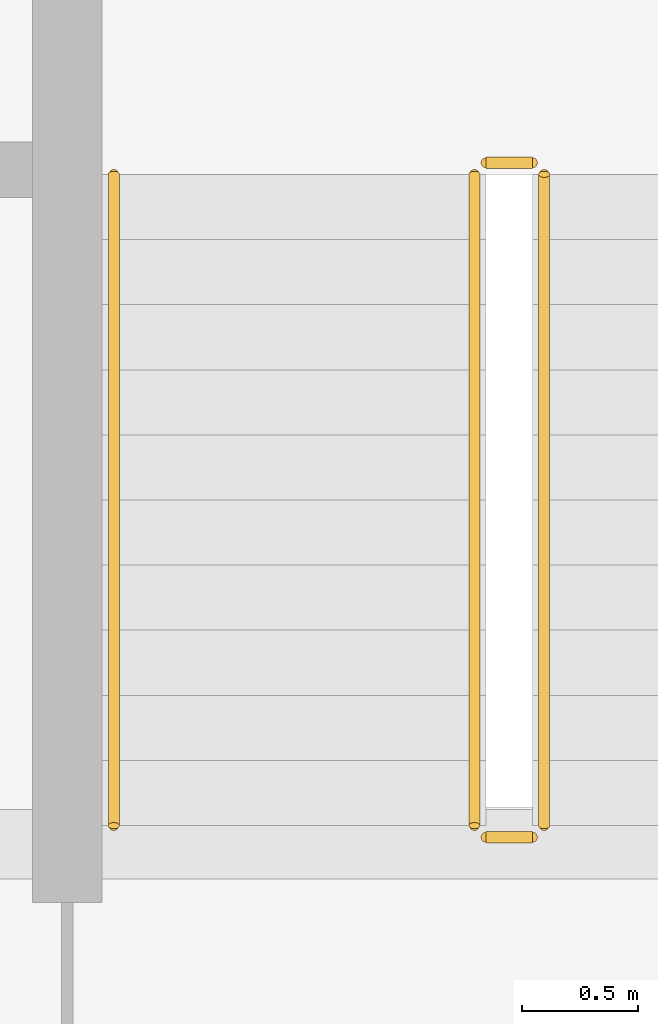
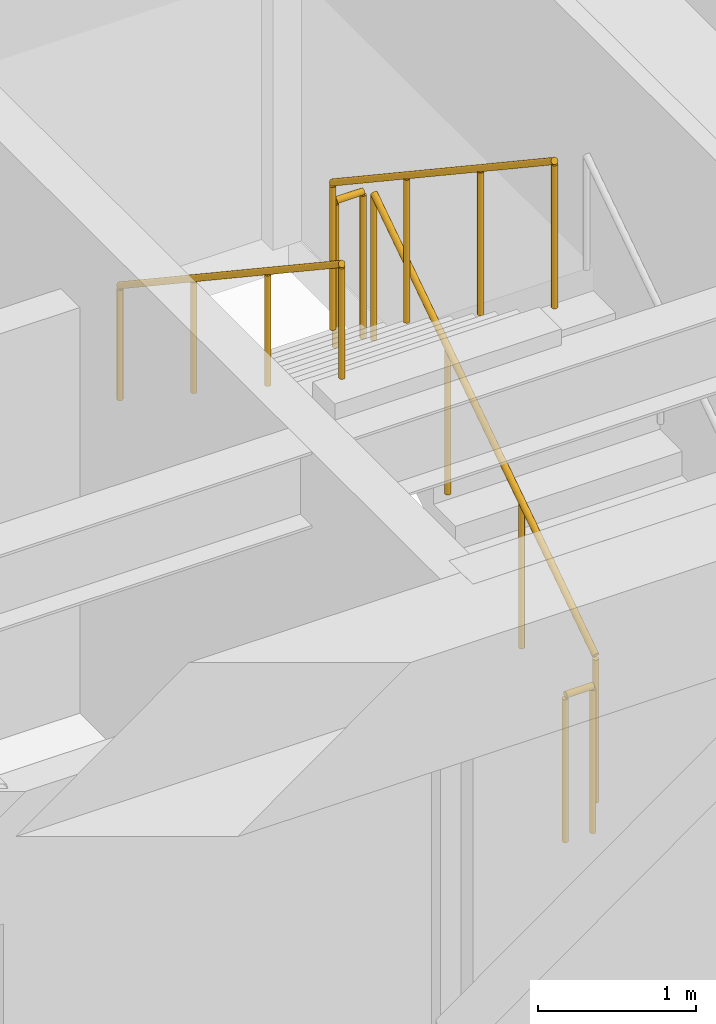
# One storey, part 32 of 33: 5 railings.
"""IFC4 building model written with IfcOpenShell, lengths in metres."""

import ifcopenshell
import ifcopenshell.guid

model = None  # the IFC model being written
_history = None  # IfcOwnerHistory: only IFC2X3 demands one
_inside = {}  # id of a spatial element -> (the spatial element, [elements in it])
_under = {}  # id of a project, library or spatial element -> (it, [spatial elements below it])
_declared = {}  # id of a project -> (the project, [libraries it declares])
_typed = {}  # id of a type object -> (the type object, [elements of that type])
_made_of = {}  # id of a material, layer set ... -> (it, [elements and type objects made of it])


def new_model(schema):
    """Start an empty IFC model of exactly this schema.

    Asked for "IFC4X3", IfcOpenShell would pick the latest addendum, in which some entities
    have other attributes; the version numbers below select the first issue.
    IFC2X3 requires an IfcOwnerHistory on every rooted entity: one is made here for all.
    """
    global model, _history
    if schema == "IFC4X3":
        model = ifcopenshell.file(schema_version=(4, 3, 0, 0))
    else:
        model = ifcopenshell.file(schema=schema)
    _inside.clear()
    _under.clear()
    _declared.clear()
    _typed.clear()
    _made_of.clear()
    _history = None
    if model.schema == "IFC2X3":
        org = make("IfcOrganization", Name="unknown")
        user = make(
            "IfcPersonAndOrganization",
            ThePerson=make("IfcPerson", FamilyName="unknown"),
            TheOrganization=org,
        )
        app = make(
            "IfcApplication",
            ApplicationDeveloper=org,
            Version="unknown",
            ApplicationFullName="unknown",
            ApplicationIdentifier="unknown",
        )
        _history = make(
            "IfcOwnerHistory",
            OwningUser=user,
            OwningApplication=app,
            ChangeAction="ADDED",
            CreationDate=0,
        )
    return model


def make(cls, **values):
    """One entity of the class cls with the attributes given. An attribute that is None is left unset."""
    return model.create_entity(
        cls, **{name: value for name, value in values.items() if value is not None}
    )


def rooted(cls, **values):
    """An entity with a GlobalId (a new one), such as an element, a storey or a relation."""
    return make(cls, GlobalId=ifcopenshell.guid.new(), OwnerHistory=_history, **values)


def si_unit(unit_type, name, prefix=None):
    """IfcSIUnit, for example si_unit("LENGTHUNIT", "METRE", prefix="MILLI")."""
    return make("IfcSIUnit", UnitType=unit_type, Prefix=prefix, Name=name)


def assignment(units):
    """IfcUnitAssignment: the units of a project."""
    return None if units is None else make("IfcUnitAssignment", Units=units)


def point(xyz):
    """IfcCartesianPoint."""
    return None if xyz is None else make("IfcCartesianPoint", Coordinates=xyz)


def direction(xyz):
    """IfcDirection."""
    return None if xyz is None else make("IfcDirection", DirectionRatios=xyz)


def frame(location, z_axis=None, x_axis=None):
    """IfcAxis2Placement3D, a coordinate frame: its origin and axes. An axis left out is left unset."""
    return make(
        "IfcAxis2Placement3D",
        Location=point(location),
        Axis=direction(z_axis),
        RefDirection=direction(x_axis),
    )


def frame_2d(location, x_axis=None):
    """IfcAxis2Placement2D, a coordinate frame in the plane: its origin and x axis."""
    return make(
        "IfcAxis2Placement2D", Location=point(location), RefDirection=direction(x_axis)
    )


def origin():
    """The frame at (0, 0, 0) with its axes left unset."""
    return frame((0.0, 0.0, 0.0))


def origin_2d():
    """The frame at (0, 0) in the plane with its x axis left unset."""
    return frame_2d((0.0, 0.0))


def place(relative_to, where):
    """IfcLocalPlacement: puts the frame where relative to a parent placement (None: the world)."""
    return make(
        "IfcLocalPlacement", PlacementRelTo=relative_to, RelativePlacement=where
    )


def context(
    kind, dimensions, precision=None, world=None, true_north=None, identifier=None
):
    """IfcGeometricRepresentationContext, for example the 3D "Model" context."""
    return make(
        "IfcGeometricRepresentationContext",
        ContextIdentifier=identifier,
        ContextType=kind,
        CoordinateSpaceDimension=dimensions,
        Precision=precision,
        WorldCoordinateSystem=world,
        TrueNorth=true_north,
    )


def subcontext(parent, identifier, kind, view, scale=None):
    """IfcGeometricRepresentationSubContext, for example "Body" below "Model"."""
    return make(
        "IfcGeometricRepresentationSubContext",
        ContextIdentifier=identifier,
        ContextType=kind,
        ParentContext=parent,
        TargetScale=scale,
        TargetView=view,
    )


def project(units=None, contexts=None):
    """IfcProject with its units and contexts."""
    return rooted(
        "IfcProject",
        Name="project",
        RepresentationContexts=contexts,
        UnitsInContext=assignment(units),
    )


def spatial(cls, under=None, at=None, **own):
    """A site, building, storey or space (cls), placed at a placement, below another one or the project."""
    s = rooted(cls, ObjectPlacement=at, **own)
    if under is not None:
        _under.setdefault(under.id(), (under, []))[1].append(s)
    return s


def profile(cls, at=None, kind="AREA", **sizes):
    """A parametric profile (cls). Its sizes go by their IFC names, for example OverallWidth=200.0."""
    return make(cls, ProfileType=kind, Position=at, **sizes)


def circle(**sizes):
    """IfcCircleProfileDef."""
    return profile("IfcCircleProfileDef", **sizes)


def extrude(swept, where, along, depth):
    """IfcExtrudedAreaSolid: the profile swept, set in the frame where, extruded along a direction by depth."""
    return make(
        "IfcExtrudedAreaSolid",
        SweptArea=swept,
        Position=where,
        ExtrudedDirection=direction(along),
        Depth=depth,
    )


def shape(context_of_items, identifier, shape_type, items):
    """IfcShapeRepresentation: the items that make up one representation, for example the "Body"."""
    return make(
        "IfcShapeRepresentation",
        ContextOfItems=context_of_items,
        RepresentationIdentifier=identifier,
        RepresentationType=shape_type,
        Items=items,
    )


def source(mapping_origin, context_of_items, identifier, shape_type, items):
    """IfcRepresentationMap: a shape defined once, which mapped items show again and again."""
    return make(
        "IfcRepresentationMap",
        MappingOrigin=mapping_origin,
        MappedRepresentation=shape(context_of_items, identifier, shape_type, items),
    )


def transform(
    local_origin,
    x_axis=None,
    y_axis=None,
    z_axis=None,
    scale=None,
    scale2=None,
    scale3=None,
    uniform=True,
):
    """IfcCartesianTransformationOperator3D, or its non-uniform kind. x_axis, y_axis, z_axis: its Axis1, 2, 3."""
    if uniform:
        return make(
            "IfcCartesianTransformationOperator3D",
            Axis1=direction(x_axis),
            Axis2=direction(y_axis),
            LocalOrigin=point(local_origin),
            Scale=scale,
            Axis3=direction(z_axis),
        )
    return make(
        "IfcCartesianTransformationOperator3DnonUniform",
        Axis1=direction(x_axis),
        Axis2=direction(y_axis),
        LocalOrigin=point(local_origin),
        Scale=scale,
        Axis3=direction(z_axis),
        Scale2=scale2,
        Scale3=scale3,
    )


def mapped(mapping_source, mapping_target):
    """IfcMappedItem: shows the shape of a source again, moved by a transform."""
    return make(
        "IfcMappedItem", MappingSource=mapping_source, MappingTarget=mapping_target
    )


def material(Name=None, Category=None):
    """IfcMaterial."""
    return make("IfcMaterial", Name=Name, Category=Category)


def made_of(thing, what):
    """Note that an element or type object is made of a material, layer set ...; save() writes the relation."""
    if what is not None:
        _made_of.setdefault(what.id(), (what, []))[1].append(thing)
    return thing


def type_object(cls, material=None, **own):
    """A type object (cls), such as IfcWallType, which elements share."""
    return made_of(rooted(cls, **own), material)


def type_shapes(of_type, sources):
    """Give a type object the sources (RepresentationMaps) that its elements show as mapped items."""
    of_type.RepresentationMaps = sources


def element(
    cls,
    number,
    at=None,
    inside=None,
    cuts=None,
    type_object=None,
    material=None,
    context=None,
    identifier="Body",
    shape_type=None,
    held_by="IfcProductDefinitionShape",
    body=None,
    shapes=None,
    **own,
):
    """One element of the class cls, such as IfcWall. Its Tag is "e" and its number.

    at: its placement. inside: the storey or other place that contains it. cuts: it is an
    opening in that element (IfcRelVoidsElement). A single representation is given by context,
    identifier, shape_type and body (its items); several are given by shapes. held_by: the class
    of the entity that holds the representations. save() writes the other relations.
    """
    e = rooted(cls, Tag="e%d" % number, ObjectPlacement=at, **own)
    if body is not None:
        shapes = [shape(context, identifier, shape_type, body)]
    if shapes is not None:
        e.Representation = make(held_by, Representations=shapes)
    if inside is not None:
        _inside.setdefault(inside.id(), (inside, []))[1].append(e)
    if cuts is not None:
        rooted(
            "IfcRelVoidsElement", RelatingBuildingElement=cuts, RelatedOpeningElement=e
        )
    if type_object is not None:
        _typed.setdefault(type_object.id(), (type_object, []))[1].append(e)
    return made_of(e, material)


def aggregate(whole, parts):
    """IfcRelAggregates: a whole, such as a stair, and the parts it consists of."""
    return rooted("IfcRelAggregates", RelatingObject=whole, RelatedObjects=parts)


def save(model, path):
    """Write the relations noted so far, then the file.

    IfcRelAggregates (storeys below a building ...), IfcRelContainedInSpatialStructure (elements
    in a storey), IfcRelDefinesByType, IfcRelAssociatesMaterial and IfcRelDeclares: one each for
    every whole, place, type object, material and project.
    """
    for whole, parts in _under.values():
        aggregate(whole, parts)
    for where, things in _inside.values():
        rooted(
            "IfcRelContainedInSpatialStructure",
            RelatedElements=things,
            RelatingStructure=where,
        )
    for kind, things in _typed.values():
        rooted("IfcRelDefinesByType", RelatedObjects=things, RelatingType=kind)
    for what, things in _made_of.values():
        rooted("IfcRelAssociatesMaterial", RelatedObjects=things, RelatingMaterial=what)
    for by, libraries in _declared.values():
        rooted("IfcRelDeclares", RelatingContext=by, RelatedDefinitions=libraries)
    model.write(path)


model = new_model("IFC4")

# Units and contexts
model_context = context("Model", 3, precision=1e-05, world=origin(), true_north=direction((0.0, 1.0)))
body_context = subcontext(model_context, "Body", "Model", "MODEL_VIEW")
ifc_project = project(units=[si_unit("LENGTHUNIT", "METRE"), si_unit("AREAUNIT", "SQUARE_METRE"), si_unit("VOLUMEUNIT", "CUBIC_METRE"), si_unit("PLANEANGLEUNIT", "RADIAN"), si_unit("MASSUNIT", "GRAM", prefix="KILO")], contexts=[model_context])

# Site, building, storey
site_placement = place(None, origin())
site = spatial("IfcSite", under=ifc_project, at=site_placement, CompositionType="ELEMENT")
building_placement = place(site_placement, origin())
building = spatial("IfcBuilding", under=site, at=building_placement, Name="Haelvirn Gate Laboratories", CompositionType="ELEMENT")
storey_placement = place(building_placement, frame((0.0, 0.0, 137.89990234375)))
storey = spatial("IfcBuildingStorey", under=building, at=storey_placement, Name="L33", CompositionType="ELEMENT", Elevation=137.89990234375)

# Railings
ifc_material_1 = material(Name="Galvanised steel SM355 & stainless top rail", Category="steel")
railing_type_1 = type_object("IfcRailingType", Name="RL-GUARD-1150", PredefinedType="GUARDRAIL", material=ifc_material_1)
shared_shape_1 = source(origin(), body_context, "Body", "SweptSolid", [
    extrude(circle(Radius=0.02392578125, at=origin_2d()), frame((0.0, 0.0, 1.1259765625), z_axis=(0.0, 0.832485552168, 0.554046753832), x_axis=(-1.0, 0.0, 0.0)), (0.0, 0.0, 1.0), 3.363525390625),
    extrude(circle(Radius=0.02099609375, at=origin_2d()), origin(), (0.0, 0.0, 1.0), 1.101806640625),
    extrude(circle(Radius=0.02099609375, at=origin_2d()), frame((0.0, 0.933349609375, 0.62109375)), (0.0, 0.0, 1.0), 1.101806640625),
    extrude(circle(Radius=0.02099609375, at=origin_2d()), frame((0.0, 1.86669921875, 1.242431640625)), (0.0, 0.0, 1.0), 1.101806640625),
    extrude(circle(Radius=0.02099609375, at=origin_2d()), frame((0.0, 2.800048828125, 1.863525390625)), (0.0, 0.0, 1.0), 1.101806640625),
])
railing_1_placement = place(storey_placement, frame((65.39990234375, 26.699951171875, 0.1865234375)))
element("IfcRailing", 1, at=railing_1_placement, inside=storey, type_object=railing_type_1, Name="L33 ST2 stair guard 1", PredefinedType="GUARDRAIL", context=body_context, shape_type="MappedRepresentation", body=[
    mapped(shared_shape_1, transform((0.0, 0.0, 0.0), scale=1.0)),
])
shared_shape_2 = source(origin(), body_context, "Body", "SweptSolid", [
    extrude(circle(Radius=0.02392578125, at=origin_2d()), frame((0.0, 0.0, 1.1259765625), z_axis=(0.0, -0.832485552168, 0.554046753832), x_axis=(1.0, 0.0, 0.0)), (0.0, 0.0, 1.0), 3.363525390625),
    extrude(circle(Radius=0.02099609375, at=origin_2d()), origin(), (0.0, 0.0, 1.0), 1.101806640625),
    extrude(circle(Radius=0.02099609375, at=origin_2d()), frame((0.0, -0.933349609375, 0.62109375)), (0.0, 0.0, 1.0), 1.101806640625),
    extrude(circle(Radius=0.02099609375, at=origin_2d()), frame((0.0, -1.86669921875, 1.242431640625)), (0.0, 0.0, 1.0), 1.101806640625),
    extrude(circle(Radius=0.02099609375, at=origin_2d()), frame((0.0, -2.800048828125, 1.863525390625)), (0.0, 0.0, 1.0), 1.101806640625),
])
railing_2_placement = place(storey_placement, frame((65.10009765625, 29.5, 2.236572265625)))
element("IfcRailing", 2, at=railing_2_placement, inside=storey, type_object=railing_type_1, Name="L33 ST2 stair guard 3", PredefinedType="GUARDRAIL", context=body_context, shape_type="MappedRepresentation", body=[
    mapped(shared_shape_2, transform((0.0, 0.0, 0.0), scale=1.0)),
])
ifc_material_2 = material(Name="Brushed stainless steel 316L", Category="steel")
railing_type_2 = type_object("IfcRailingType", Name="RL-HAND-920", PredefinedType="HANDRAIL", material=ifc_material_2)
shared_shape_3 = source(origin(), body_context, "Body", "SweptSolid", [
    extrude(circle(Radius=0.02392578125, at=origin_2d()), frame((0.0, 0.0, 0.8759765625), z_axis=(0.0, -0.832485552168, 0.554046753832), x_axis=(1.0, 0.0, 0.0)), (0.0, 0.0, 1.0), 3.363525390625),
    extrude(circle(Radius=0.02099609375, at=origin_2d()), origin(), (0.0, 0.0, 1.0), 0.851806640625),
    extrude(circle(Radius=0.02099609375, at=origin_2d()), frame((0.0, -0.933349609375, 0.62109375)), (0.0, 0.0, 1.0), 0.851806640625),
    extrude(circle(Radius=0.02099609375, at=origin_2d()), frame((0.0, -1.86669921875, 1.242431640625)), (0.0, 0.0, 1.0), 0.851806640625),
    extrude(circle(Radius=0.02099609375, at=origin_2d()), frame((0.0, -2.800048828125, 1.863525390625)), (0.0, 0.0, 1.0), 0.851806640625),
])
type_shapes(railing_type_2, [shared_shape_3])
railing_3_placement = place(storey_placement, frame((63.550048828125, 29.5, 2.236572265625)))
element("IfcRailing", 3, at=railing_3_placement, inside=storey, type_object=railing_type_2, Name="L33 ST2 stair handrail 2", PredefinedType="HANDRAIL", context=body_context, shape_type="MappedRepresentation", body=[
    mapped(shared_shape_3, transform((0.0, 0.0, 0.0), scale=1.0)),
])
shared_shape_4 = source(origin(), body_context, "Body", "SweptSolid", [
    extrude(circle(Radius=0.02392578125, at=origin_2d()), frame((0.0, 0.0, 1.1259765625), z_axis=(-1.0, 0.0, 0.0), x_axis=(0.0, -1.0, 0.0)), (0.0, 0.0, 1.0), 0.2001953125),
    extrude(circle(Radius=0.02099609375, at=origin_2d()), origin(), (0.0, 0.0, 1.0), 1.101806640625),
    extrude(circle(Radius=0.02099609375, at=origin_2d()), frame((-0.2001953125, 0.0, 0.0)), (0.0, 0.0, 1.0), 1.101806640625),
])
type_shapes(railing_type_1, [shared_shape_1, shared_shape_2, shared_shape_4])
for number, where, name in (
    (4, (65.35009765625, 29.550048828125, 2.050048828125), "L33 ST2 stair guard 2"),
    (5, (65.35009765625, 26.64990234375, 0.0), "L33 ST2 stair guard 4"),
):
    element("IfcRailing", number, at=place(storey_placement, frame(where)), inside=storey, type_object=railing_type_1, Name=name, PredefinedType="GUARDRAIL", context=body_context, shape_type="MappedRepresentation", body=[
        mapped(shared_shape_4, transform((0.0, 0.0, 0.0), scale=1.0)),
    ])

save(model, "model.ifc")
